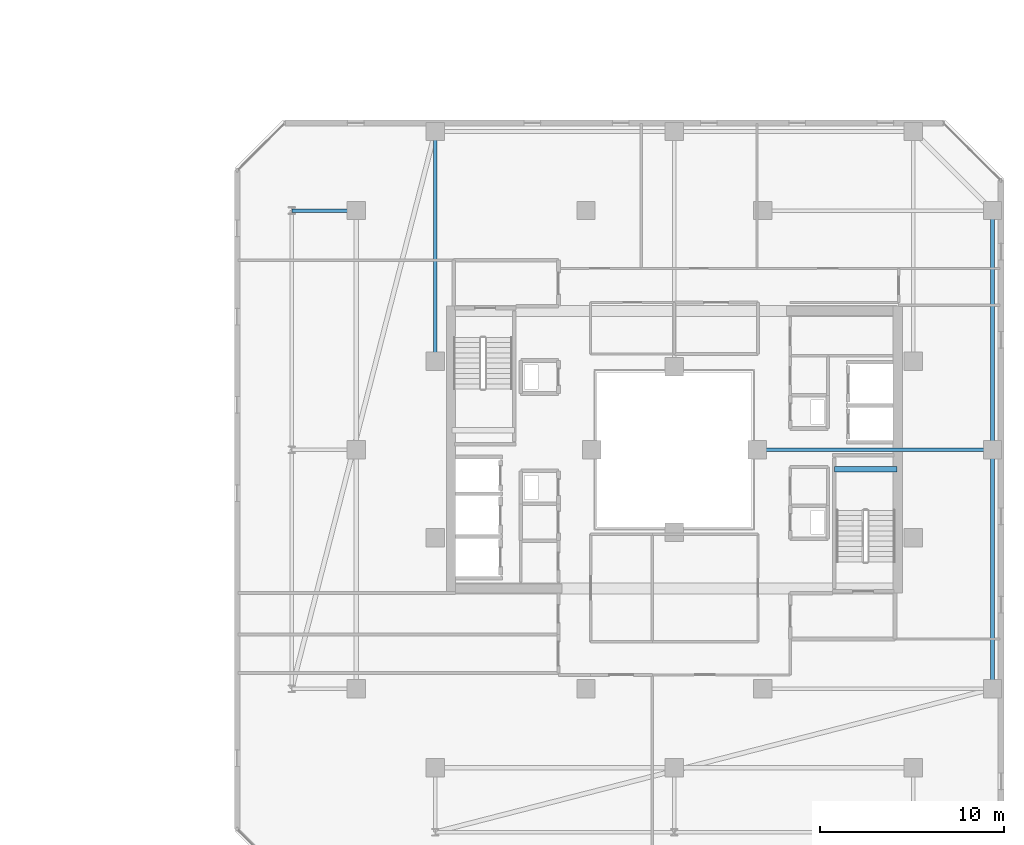
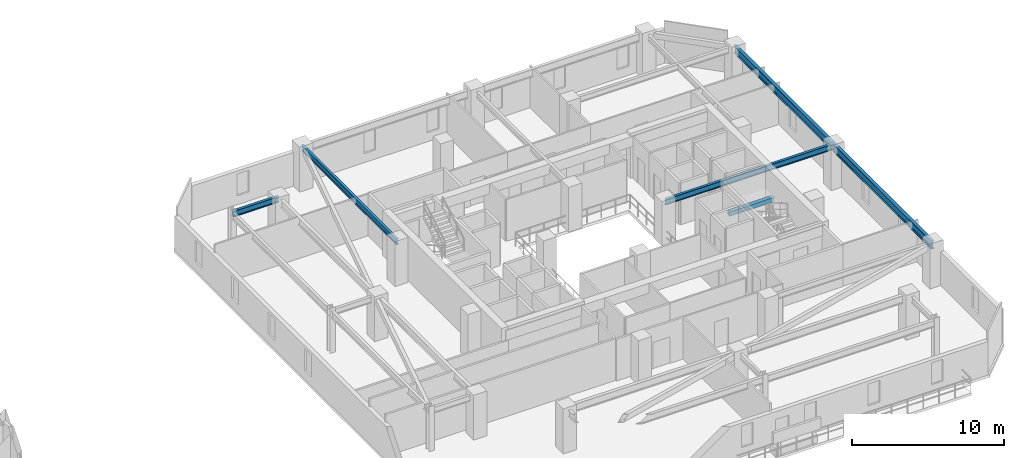
# One storey, part 14 of 33: 6 beams.
"""IFC4 building model written with IfcOpenShell, lengths in metres."""

from ifc_helpers import new_model, si_unit, direction, frame, origin, origin_2d, place, context, subcontext, project, spatial, rectangle, i_section, extrude, material, material_profile, profile_set, type_object, element, save


model = new_model("IFC4")

# Units and contexts
model_context = context("Model", 3, precision=1e-05, world=origin(), true_north=direction((0.0, 1.0)))
body_context = subcontext(model_context, "Body", "Model", "MODEL_VIEW")
ifc_project = project(units=[si_unit("LENGTHUNIT", "METRE"), si_unit("AREAUNIT", "SQUARE_METRE"), si_unit("VOLUMEUNIT", "CUBIC_METRE"), si_unit("PLANEANGLEUNIT", "RADIAN"), si_unit("MASSUNIT", "GRAM", prefix="KILO")], contexts=[model_context])

# Site, building, storey
site_placement = place(None, origin())
site = spatial("IfcSite", under=ifc_project, at=site_placement, CompositionType="ELEMENT")
building_placement = place(site_placement, origin())
building = spatial("IfcBuilding", under=site, at=building_placement, Name="Thornwick Lancets Civic Towers", CompositionType="ELEMENT")
storey_placement = place(building_placement, frame((0.0, 0.0, 214.5)))
storey = spatial("IfcBuildingStorey", under=building, at=storey_placement, Name="L57", CompositionType="ELEMENT", Elevation=214.5)

# Beams
ifc_material_1 = material(Name="Steel S355JR", Category="steel")
ifc_material_profile_1 = material_profile(ifc_material_1, i_section(OverallWidth=0.230224609375, OverallDepth=0.6171875, WebThickness=0.01318359375, FlangeThickness=0.022216796875, FilletRadius=0.0126953125, at=origin_2d()), Name="UKB 610x229x140")
ifc_profile_set_1 = profile_set([ifc_material_profile_1], Name="Steel S355JR")
beam_type_1 = type_object("IfcBeamType", Name="BM_GIRD_610_140", PredefinedType="BEAM", material=ifc_profile_set_1)
beam_1_placement = place(storey_placement, frame((105.800048828125, 14.0, 3.051513671875), z_axis=(0.0, 1.0, 0.0), x_axis=(-1.0, 0.0, 0.0)))
element("IfcBeam", 1, at=beam_1_placement, inside=storey, type_object=beam_type_1, Name="BM-SPINE-L57-B-0-1", PredefinedType="BEAM", context=body_context, shape_type="SweptSolid", body=[
    extrude(i_section(OverallWidth=0.230224609375, OverallDepth=0.6171875, WebThickness=0.01318359375, FlangeThickness=0.022216796875, FilletRadius=0.0126953125, at=origin_2d()), origin(), (0.0, 0.0, 1.0), 13.0),
])
beam_2_placement = place(storey_placement, frame((105.800048828125, 27.080078125, 3.051513671875), z_axis=(0.0, 1.0, 0.0), x_axis=(-1.0, 0.0, 0.0)))
element("IfcBeam", 2, at=beam_2_placement, inside=storey, type_object=beam_type_1, Name="BM-SPINE-L57-B-1-2", PredefinedType="BEAM", context=body_context, shape_type="SweptSolid", body=[
    extrude(i_section(OverallWidth=0.230224609375, OverallDepth=0.6171875, WebThickness=0.01318359375, FlangeThickness=0.022216796875, FilletRadius=0.0126953125, at=origin_2d()), origin(), (0.0, 0.0, 1.0), 12.919921875),
])
ifc_material_profile_2 = material_profile(ifc_material_1, i_section(OverallWidth=0.19287109375, OverallDepth=0.46728515625, WebThickness=0.011474609375, FlangeThickness=0.01953125, FilletRadius=0.01025390625, at=origin_2d()), Name="UKB 457x191x98")
ifc_profile_set_2 = profile_set([ifc_material_profile_2], Name="Steel S355JR")
beam_type_2 = type_object("IfcBeamType", Name="BM_JOIST_457_98", PredefinedType="JOIST", material=ifc_profile_set_2)
beam_3_placement = place(storey_placement, frame((93.0, 27.0, 3.12646484375), z_axis=(1.0, 0.0, 0.0), x_axis=(0.0, 1.0, 0.0)))
element("IfcBeam", 3, at=beam_3_placement, inside=storey, type_object=beam_type_2, Name="BM-RADIN-L57-B02", PredefinedType="JOIST", context=body_context, shape_type="SweptSolid", body=[
    extrude(i_section(OverallWidth=0.19287109375, OverallDepth=0.46728515625, WebThickness=0.011474609375, FlangeThickness=0.01953125, FilletRadius=0.01025390625, at=origin_2d()), origin(), (0.0, 0.0, 1.0), 12.800048828125),
])
beam_4_placement = place(storey_placement, frame((75.5, 31.800048828125, 3.12646484375), z_axis=(0.0, 1.0, 0.0), x_axis=(-1.0, 0.0, 0.0)))
element("IfcBeam", 4, at=beam_4_placement, inside=storey, type_object=beam_type_2, Name="BM-RADIN-L57-B06", PredefinedType="JOIST", context=body_context, shape_type="SweptSolid", body=[
    extrude(i_section(OverallWidth=0.19287109375, OverallDepth=0.46728515625, WebThickness=0.011474609375, FlangeThickness=0.01953125, FilletRadius=0.01025390625, at=origin_2d()), origin(), (0.0, 0.0, 1.0), 12.5),
])
beam_5_placement = place(storey_placement, frame((71.199951171875, 40.0, 3.12646484375), z_axis=(-1.0, 0.0, 0.0), x_axis=(0.0, -1.0, 0.0)))
element("IfcBeam", 5, at=beam_5_placement, inside=storey, type_object=beam_type_2, Name="BM-RAD-L57-B09", PredefinedType="JOIST", context=body_context, shape_type="SweptSolid", body=[
    extrude(i_section(OverallWidth=0.19287109375, OverallDepth=0.46728515625, WebThickness=0.011474609375, FlangeThickness=0.01953125, FilletRadius=0.01025390625, at=origin_2d()), origin(), (0.0, 0.0, 1.0), 3.5),
])
ifc_material_2 = material(Name="Concrete C40/50", Category="concrete")
ifc_material_profile_3 = material_profile(ifc_material_2, rectangle(XDim=0.300048828125, YDim=0.35009765625, at=origin_2d()), Name="RC 300x350")
ifc_profile_set_3 = profile_set([ifc_material_profile_3], Name="Concrete C40/50")
beam_type_3 = type_object("IfcBeamType", Name="BM_STAIR_LDG", PredefinedType="BEAM", material=ifc_profile_set_3)
beam_6_placement = place(storey_placement, frame((100.60009765625, 25.93505859375, 1.3779296875), z_axis=(-1.0, 0.0, 0.0), x_axis=(0.0, -1.0, 0.0)))
element("IfcBeam", 6, at=beam_6_placement, inside=storey, type_object=beam_type_3, Name="L57 ST-B1 Landing Support Beam 1", PredefinedType="BEAM", context=body_context, shape_type="SweptSolid", body=[
    extrude(rectangle(XDim=0.300048828125, YDim=0.35009765625, at=origin_2d()), origin(), (0.0, 0.0, 1.0), 3.400146484375),
])

save(model, "model.ifc")
